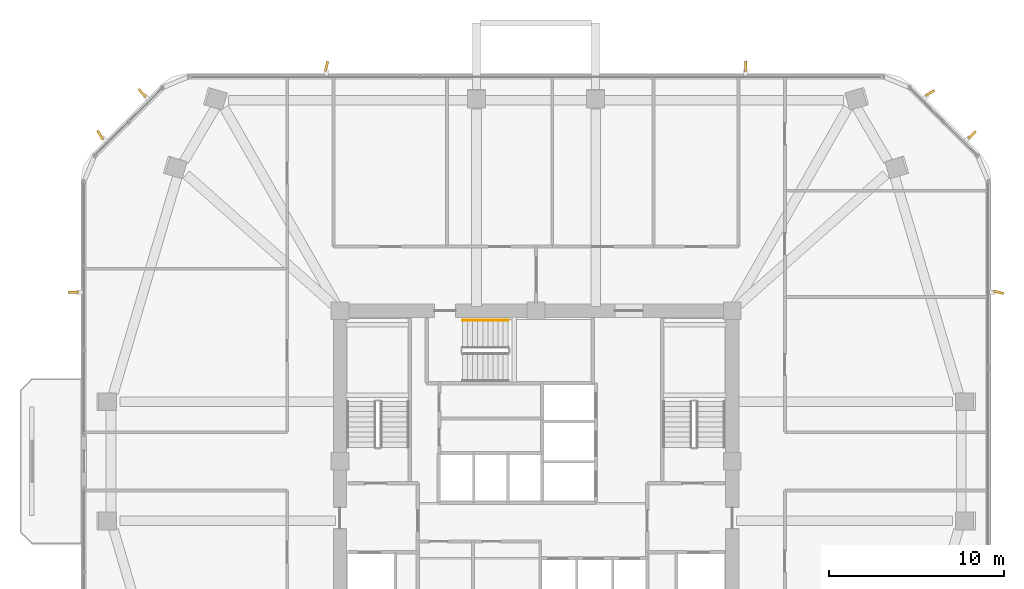
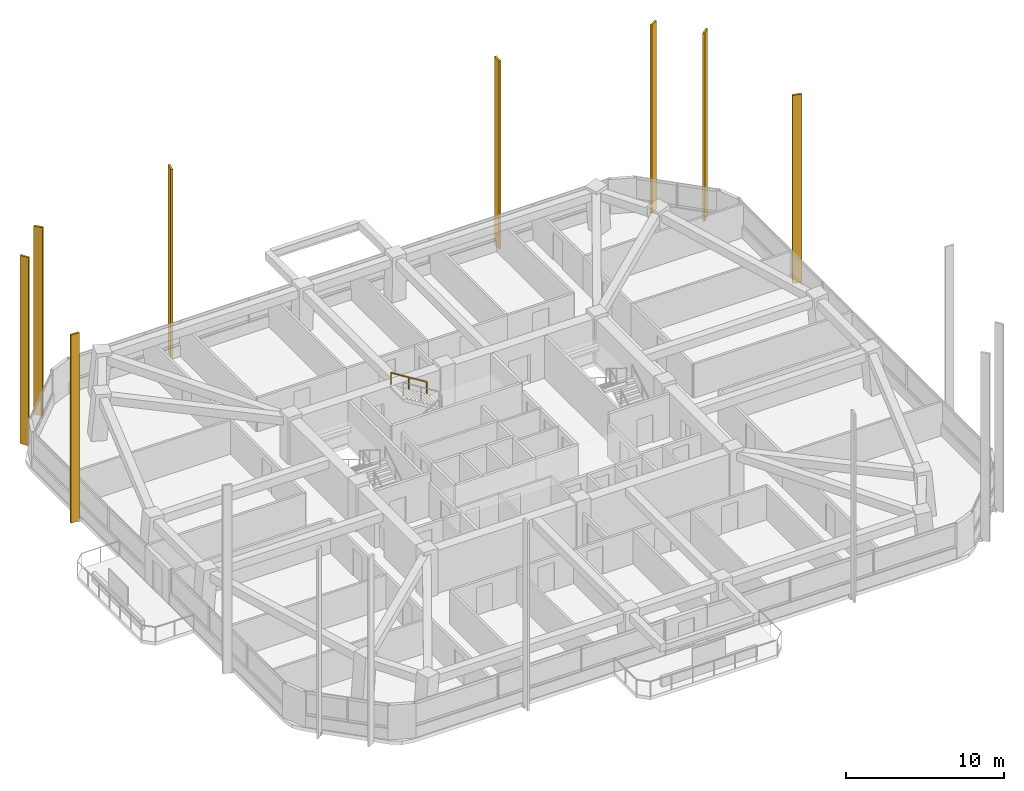
# One storey, part 15 of 15: 8 shading devices, 1 railing.
"""IFC4 building model written with IfcOpenShell, lengths in metres."""

from ifc_helpers import new_model, si_unit, derived_unit, direction, frame, origin, origin_2d, place, context, subcontext, project, spatial, rectangle, extrude, material, type_object, element, save


model = new_model("IFC4")

# Units and contexts
model_context = context("Model", 3, precision=1e-05, world=origin(), true_north=direction((0.0, 1.0)))
body_context = subcontext(model_context, "Body", "Model", "MODEL_VIEW")
ifc_project = project(units=[si_unit("LENGTHUNIT", "METRE"), si_unit("AREAUNIT", "SQUARE_METRE"), si_unit("VOLUMEUNIT", "CUBIC_METRE"), si_unit("PLANEANGLEUNIT", "RADIAN"), si_unit("MASSUNIT", "GRAM", prefix="KILO"), derived_unit("THERMALTRANSMITTANCEUNIT", [(si_unit("POWERUNIT", "WATT"), 1), (si_unit("LENGTHUNIT", "METRE"), -2), (si_unit("THERMODYNAMICTEMPERATUREUNIT", "KELVIN"), -1)])], contexts=[model_context])

# Site, building, storey
site_placement = place(None, origin())
site = spatial("IfcSite", under=ifc_project, at=site_placement, CompositionType="ELEMENT")
building_placement = place(site_placement, origin())
building = spatial("IfcBuilding", under=site, at=building_placement, Name="Koralith Skygarden Medical Center", CompositionType="ELEMENT")
storey_placement = place(building_placement, frame((0.0, 0.0, 99.179931640625)))
storey = spatial("IfcBuildingStorey", under=building, at=storey_placement, Name="L25", CompositionType="ELEMENT", Elevation=99.179931640625)

# Shading devices
ifc_material_1 = material(Name="Aluminium 6063-T6", Category="aluminium")
shading_device_type = type_object("IfcShadingDeviceType", Name="Limestone-Clad Solar Storm Fin 600", PredefinedType="USERDEFINED", material=ifc_material_1)
for number, where, z_axis, x_axis, name in (
    (1, (63.4130859375, 35.550048828125, -0.2001953125), (0.0, 0.0, 1.0), (0.970925750445, -0.239380841177, 0.0), "L25 E Harmonic Solar Storm Fin 2"),
    (2, (61.888916015625, 44.532958984375, -0.2001953125), (0.0, 0.0, 1.0), (0.731996145018, 0.681308772642, 0.0), "L25 NE Harmonic Solar Storm Fin 1"),
    (3, (59.490966796875, 46.930908203125, -0.2001953125), (0.0, 0.0, 1.0), (0.855815998251, 0.517280366086, 0.0), "L25 NE Harmonic Solar Storm Fin 2"),
    (4, (48.966064453125, 48.4541015625, -0.2001953125), (0.0, 0.0, 1.0), (0.035841384727, 0.999357491162, 0.0), "L25 N Harmonic Solar Storm Fin 1"),
    (5, (25.033935546875, 48.4541015625, -0.2001953125), (0.0, 0.0, 1.0), (0.239380841177, 0.970925750445, 0.0), "L25 N Harmonic Solar Storm Fin 2"),
    (6, (14.509033203125, 46.929931640625, -0.2001953125), (0.0, 0.0, 1.0), (-0.681308772642, 0.731996145018, 0.0), "L25 NW Harmonic Solar Storm Fin 1"),
    (7, (12.111083984375, 44.531982421875, -0.2001953125), (0.0, 0.0, 1.0), (-0.517280366086, 0.855815998251, 0.0), "L25 NW Harmonic Solar Storm Fin 2"),
    (8, (10.5869140625, 35.550048828125, -0.2001953125), (0.0, 0.0, 1.0), (-0.999357491162, 0.035841384727, 0.0), "L25 W Harmonic Solar Storm Fin 1"),
):
    element("IfcShadingDevice", number, at=place(storey_placement, frame(where, z_axis=z_axis, x_axis=x_axis)), inside=storey, type_object=shading_device_type, Name=name, ObjectType="SOLAR FIN", PredefinedType="USERDEFINED", context=body_context, shape_type="SweptSolid", body=[
        extrude(rectangle(XDim=0.60009765625, YDim=0.139892578125, at=origin_2d()), origin(), (0.0, 0.0, 1.0), 14.550048828125),
    ])

# Railing
ifc_material_2 = material(Name="Steel ASTM A500 Grade C", Category="steel")
railing_type = type_object("IfcRailingType", Name="Stair Flight Tubular Handrail 920", PredefinedType="HANDRAIL", material=ifc_material_2)
railing_placement = place(storey_placement, frame((35.409912109375, 33.949951171875, 1.97998046875)))
element("IfcRailing", 9, at=railing_placement, inside=storey, type_object=railing_type, Name="L25 ST3 stair handrail 2", PredefinedType="HANDRAIL", context=body_context, shape_type="SweptSolid", body=[
    extrude(rectangle(XDim=0.050048828125, YDim=0.050048828125, at=origin_2d()), frame((-0.001708984375, 0.0, 0.89599609375), z_axis=(-0.849610693518, 0.0, 0.52741034258), x_axis=(0.0, -1.0, 0.0)), (0.0, 0.0, 1.0), 3.06787109375),
    extrude(rectangle(XDim=0.0419921875, YDim=0.0419921875, at=origin_2d()), origin(), (0.0, 0.0, 1.0), 0.867919921875),
    extrude(rectangle(XDim=0.0419921875, YDim=0.0419921875, at=origin_2d()), frame((-1.304931640625, 0.0, 0.81005859375)), (0.0, 0.0, 1.0), 0.867919921875),
    extrude(rectangle(XDim=0.0419921875, YDim=0.0419921875, at=origin_2d()), frame((-2.60986328125, 0.0, 1.6201171875)), (0.0, 0.0, 1.0), 0.867919921875),
])

save(model, "model.ifc")
